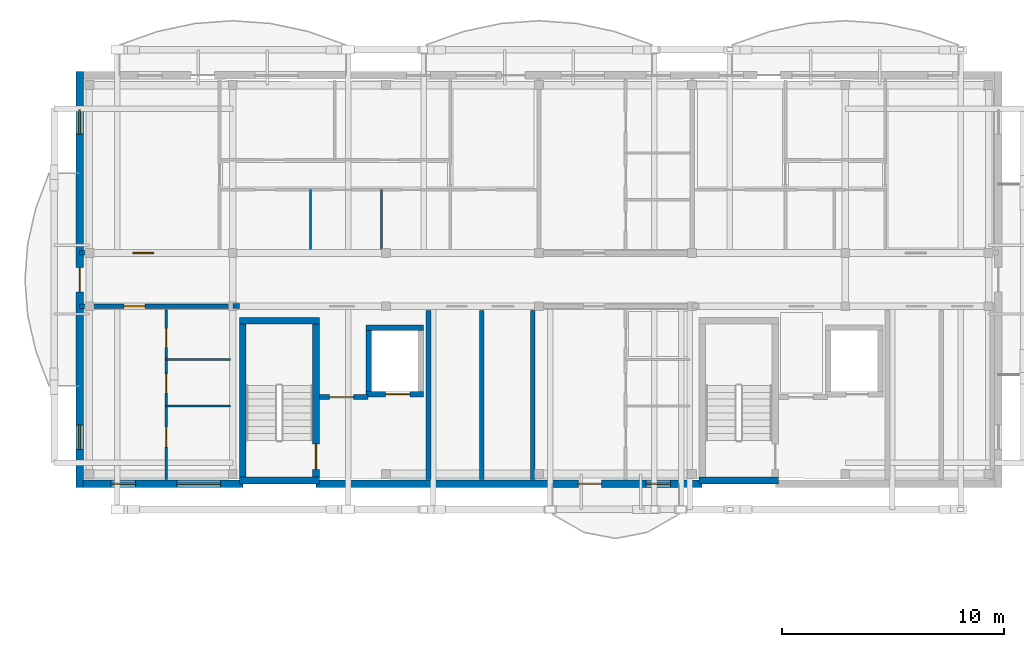
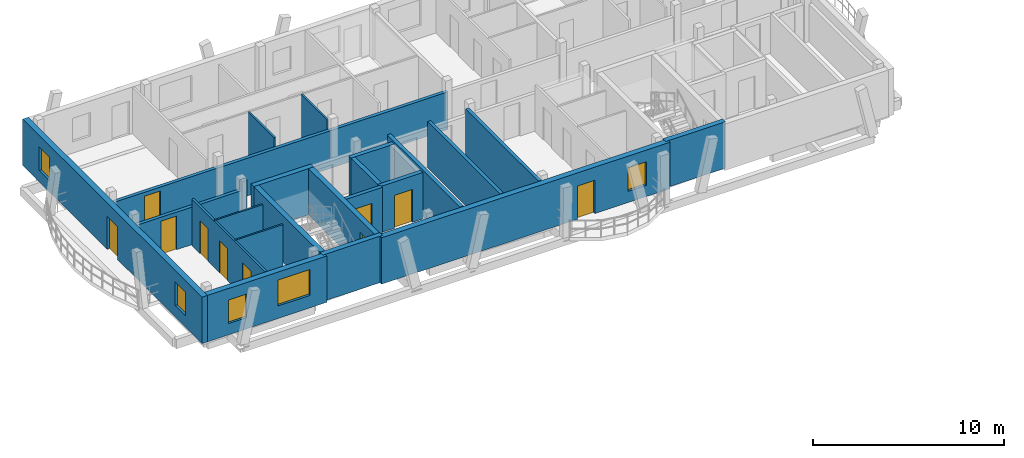
# One storey, part 17 of 33: 23 walls, 10 doors, 5 windows, 15 openings.
"""IFC4 building model written with IfcOpenShell, lengths in metres."""

from ifc_helpers import new_model, si_unit, direction, frame, frame_2d, origin, origin_with_axes, place, context, subcontext, project, spatial, rectangle, extrude, material, layer, layer_set, type_object, element, fill, save


model = new_model("IFC4")

# Units and contexts
model_context = context("Model", 3, precision=1e-05, world=origin(), true_north=direction((0.0, 1.0)))
body_context = subcontext(model_context, "Body", "Model", "MODEL_VIEW")
ifc_project = project(units=[si_unit("LENGTHUNIT", "METRE"), si_unit("AREAUNIT", "SQUARE_METRE"), si_unit("VOLUMEUNIT", "CUBIC_METRE"), si_unit("PLANEANGLEUNIT", "RADIAN"), si_unit("MASSUNIT", "GRAM", prefix="KILO")], contexts=[model_context])

# Site, building, storey
site_placement = place(None, origin())
site = spatial("IfcSite", under=ifc_project, at=site_placement, CompositionType="ELEMENT")
building_placement = place(site_placement, origin())
building = spatial("IfcBuilding", under=site, at=building_placement, Name="Zavelmont Quarter", CompositionType="ELEMENT")
storey_placement = place(building_placement, frame((0.0, 0.0, 30.39990234375)))
storey = spatial("IfcBuildingStorey", under=building, at=storey_placement, Name="L09", CompositionType="ELEMENT", Elevation=30.39990234375)

# Wall, openings, windows
ifc_material_1 = material(Name="Natural Belgian limestone", Category="masonry")
ifc_layer_1 = layer(ifc_material_1, 0.340087890625)
ifc_layer_set_1 = layer_set([ifc_layer_1], Name="Natural Belgian limestone")
wall_type_1 = type_object("IfcWallType", Name="EW03", PredefinedType="STANDARD", material=ifc_layer_set_1)
wall_1_placement = place(storey_placement, frame((0.159912109375, 97.60009765625, 0.0), z_axis=(0.0, 0.0, 1.0), x_axis=(1.0, 0.0, 0.0)))
wall_1 = element("IfcWall", 1, at=wall_1_placement, inside=storey, type_object=wall_type_1, Name="L09 exterior limestone wall EW03", PredefinedType="STANDARD", context=body_context, shape_type="SweptSolid", body=[
    extrude(rectangle(XDim=7.190185546875, YDim=0.340087890625, at=frame_2d((3.59521484375, 0.0))), origin(), (0.0, 0.0, 1.0), 2.960205078125),
])
opening_1_placement = place(wall_1_placement, frame((1.260009765625, 0.0, 0.719970703125)))
opening_1 = element("IfcOpeningElement", 2, at=opening_1_placement, cuts=wall_1, Name="Opening WN09", PredefinedType="OPENING", context=body_context, shape_type="SweptSolid", body=[
    extrude(rectangle(XDim=1.10009765625, YDim=1.5, at=frame_2d((0.550048828125, 0.75))), frame((0.0, 0.18212890625, 0.0), z_axis=(0.0, -1.0, 0.0), x_axis=(1.0, 0.0, 0.0)), (0.0, 0.0, 1.0), 0.364013671875),
])
opening_2_placement = place(wall_1_placement, frame((4.235107421875, 0.0, 0.800048828125)))
opening_2 = element("IfcOpeningElement", 3, at=opening_2_placement, cuts=wall_1, Name="Opening WN24", PredefinedType="OPENING", context=body_context, shape_type="SweptSolid", body=[
    extrude(rectangle(XDim=1.949951171875, YDim=1.64990234375, at=frame_2d((0.97509765625, 0.824951171875))), frame((0.0, 0.18212890625, 0.0), z_axis=(0.0, -1.0, 0.0), x_axis=(1.0, 0.0, 0.0)), (0.0, 0.0, 1.0), 0.364013671875),
])
ifc_material_2 = material(Name="Double low-E insulated glazing in thermally broken aluminium frame", Category="aluminium")
window_type_1 = type_object("IfcWindowType", Name="WN09", PartitioningType="SINGLE_PANEL", PredefinedType="WINDOW", material=ifc_material_2)
window_1_placement = place(opening_1_placement, origin_with_axes())
window_1 = element("IfcWindow", 4, at=window_1_placement, inside=storey, type_object=window_type_1, Name="L09 window WN09", OverallHeight=1.5, OverallWidth=1.10009765625, PartitioningType="SINGLE_PANEL", PredefinedType="WINDOW", context=body_context, shape_type="SweptSolid", body=[
    extrude(rectangle(XDim=1.10009765625, YDim=1.5, at=frame_2d((0.550048828125, 0.75))), frame((0.0, 0.030029296875, 0.0), z_axis=(0.0, -1.0, 0.0), x_axis=(1.0, 0.0, 0.0)), (0.0, 0.0, 1.0), 0.06005859375),
])
fill(opening_1, window_1)
window_type_2 = type_object("IfcWindowType", Name="WN24", PartitioningType="SINGLE_PANEL", PredefinedType="WINDOW", material=ifc_material_2)
window_2_placement = place(opening_2_placement, origin_with_axes())
window_2 = element("IfcWindow", 5, at=window_2_placement, inside=storey, type_object=window_type_2, Name="L09 window WN24", OverallHeight=1.64990234375, OverallWidth=1.949951171875, PartitioningType="SINGLE_PANEL", PredefinedType="WINDOW", context=body_context, shape_type="SweptSolid", body=[
    extrude(rectangle(XDim=1.949951171875, YDim=1.64990234375, at=frame_2d((0.97509765625, 0.824951171875))), frame((0.0, 0.030029296875, 0.0), z_axis=(0.0, -1.0, 0.0), x_axis=(1.0, 0.0, 0.0)), (0.0, 0.0, 1.0), 0.06005859375),
])
fill(opening_2, window_2)

# Wall, openings, door, window
wall_2_placement = place(storey_placement, frame((10.64990234375, 97.60009765625, 0.0), z_axis=(0.0, 0.0, 1.0), x_axis=(1.0, 0.0, 0.0)))
wall_2 = element("IfcWall", 6, at=wall_2_placement, inside=storey, type_object=wall_type_1, Name="L09 exterior limestone wall EW03", PredefinedType="STANDARD", context=body_context, shape_type="SweptSolid", body=[
    extrude(rectangle(XDim=17.400146484375, YDim=0.340087890625, at=frame_2d((8.7001953125, 0.0))), origin(), (0.0, 0.0, 1.0), 2.960205078125),
])
opening_3_placement = place(wall_2_placement, frame((11.820068359375, 0.0, 0.0)))
opening_3 = element("IfcOpeningElement", 7, at=opening_3_placement, cuts=wall_2, Name="Opening DR04A", PredefinedType="OPENING", context=body_context, shape_type="SweptSolid", body=[
    extrude(rectangle(XDim=1.050048828125, YDim=2.1201171875, at=frame_2d((0.52490234375, 1.06005859375))), frame((0.0, 0.18212890625, 0.0), z_axis=(0.0, -1.0, 0.0), x_axis=(1.0, 0.0, 0.0)), (0.0, 0.0, 1.0), 0.364013671875),
])
opening_4_placement = place(wall_2_placement, frame((14.8701171875, 0.0, 0.719970703125)))
opening_4 = element("IfcOpeningElement", 8, at=opening_4_placement, cuts=wall_2, Name="Opening WN09", PredefinedType="OPENING", context=body_context, shape_type="SweptSolid", body=[
    extrude(rectangle(XDim=1.10009765625, YDim=1.5, at=frame_2d((0.550048828125, 0.75))), frame((0.0, 0.18212890625, 0.0), z_axis=(0.0, -1.0, 0.0), x_axis=(1.0, 0.0, 0.0)), (0.0, 0.0, 1.0), 0.364013671875),
])
ifc_material_3 = material(Name="Thermally broken aluminium and double safety glass", Category="aluminium")
door_type_1 = type_object("IfcDoorType", Name="DR04A", OperationType="NOTDEFINED", PredefinedType="DOOR", material=ifc_material_3)
door_1_placement = place(opening_3_placement, origin_with_axes())
door_1 = element("IfcDoor", 9, at=door_1_placement, inside=storey, type_object=door_type_1, Name="Block B L09 glazed balcony door", OperationType="SINGLE_SWING_RIGHT", OverallHeight=2.1201171875, OverallWidth=1.050048828125, PredefinedType="DOOR", context=body_context, shape_type="SweptSolid", body=[
    extrude(rectangle(XDim=1.050048828125, YDim=2.1201171875, at=frame_2d((0.52490234375, 1.06005859375))), frame((0.0, 0.02490234375, 0.0), z_axis=(0.0, -1.0, 0.0), x_axis=(1.0, 0.0, 0.0)), (0.0, 0.0, 1.0), 0.050048828125),
])
fill(opening_3, door_1)
window_3_placement = place(opening_4_placement, origin_with_axes())
window_3 = element("IfcWindow", 10, at=window_3_placement, inside=storey, type_object=window_type_1, Name="L09 window WN09", OverallHeight=1.5, OverallWidth=1.10009765625, PartitioningType="SINGLE_PANEL", PredefinedType="WINDOW", context=body_context, shape_type="SweptSolid", body=[
    extrude(rectangle(XDim=1.10009765625, YDim=1.5, at=frame_2d((0.550048828125, 0.75))), frame((0.0, 0.030029296875, 0.0), z_axis=(0.0, -1.0, 0.0), x_axis=(1.0, 0.0, 0.0)), (0.0, 0.0, 1.0), 0.06005859375),
])
fill(opening_4, window_3)

# Wall, openings, door, windows
wall_3_placement = place(storey_placement, frame((0.0, 97.429931640625, 0.0), z_axis=(0.0, 0.0, 1.0), x_axis=(0.0, 1.0, 0.0)))
wall_3 = element("IfcWall", 11, at=wall_3_placement, inside=storey, type_object=wall_type_1, Name="L09 exterior limestone wall EW03", PredefinedType="STANDARD", context=body_context, shape_type="SweptSolid", body=[
    extrude(rectangle(XDim=18.739990234375, YDim=0.340087890625, at=frame_2d((9.3701171875, 0.0))), origin(), (0.0, 0.0, 1.0), 2.960205078125),
])
opening_5_placement = place(wall_3_placement, frame((8.820068359375, 0.0, 0.0)))
opening_5 = element("IfcOpeningElement", 12, at=opening_5_placement, cuts=wall_3, Name="Opening DR04B", PredefinedType="OPENING", context=body_context, shape_type="SweptSolid", body=[
    extrude(rectangle(XDim=1.10009765625, YDim=2.10009765625, at=frame_2d((0.550048828125, 1.050048828125))), frame((0.0, 0.18212890625, 0.0), z_axis=(0.0, -1.0, 0.0), x_axis=(1.0, 0.0, 0.0)), (0.0, 0.0, 1.0), 0.364013671875),
])
opening_6_placement = place(wall_3_placement, frame((1.719970703125, 0.0, 0.719970703125)))
opening_6 = element("IfcOpeningElement", 13, at=opening_6_placement, cuts=wall_3, Name="Opening WN09", PredefinedType="OPENING", context=body_context, shape_type="SweptSolid", body=[
    extrude(rectangle(XDim=1.10009765625, YDim=1.5, at=frame_2d((0.550048828125, 0.75))), frame((0.0, 0.18212890625, 0.0), z_axis=(0.0, -1.0, 0.0), x_axis=(1.0, 0.0, 0.0)), (0.0, 0.0, 1.0), 0.364013671875),
])
opening_7_placement = place(wall_3_placement, frame((15.919921875, 0.0, 0.719970703125)))
opening_7 = element("IfcOpeningElement", 14, at=opening_7_placement, cuts=wall_3, Name="Opening WN09", PredefinedType="OPENING", context=body_context, shape_type="SweptSolid", body=[
    extrude(rectangle(XDim=1.10009765625, YDim=1.5, at=frame_2d((0.550048828125, 0.75))), frame((0.0, 0.18212890625, 0.0), z_axis=(0.0, -1.0, 0.0), x_axis=(1.0, 0.0, 0.0)), (0.0, 0.0, 1.0), 0.364013671875),
])
door_type_2 = type_object("IfcDoorType", Name="DR04B", OperationType="NOTDEFINED", PredefinedType="DOOR", material=ifc_material_3)
door_2_placement = place(opening_5_placement, frame((1.10009765625, 0.0, 0.0), z_axis=(0.0, 0.0, 1.0), x_axis=(-1.0, 0.0, 0.0)))
door_2 = element("IfcDoor", 15, at=door_2_placement, inside=storey, type_object=door_type_2, Name="Block B L09 terrace or vase balcony door", OperationType="SINGLE_SWING_LEFT", OverallHeight=2.10009765625, OverallWidth=1.10009765625, PredefinedType="DOOR", context=body_context, shape_type="SweptSolid", body=[
    extrude(rectangle(XDim=1.10009765625, YDim=2.10009765625, at=frame_2d((0.550048828125, 1.050048828125))), frame((0.0, 0.02490234375, 0.0), z_axis=(0.0, -1.0, 0.0), x_axis=(1.0, 0.0, 0.0)), (0.0, 0.0, 1.0), 0.050048828125),
])
fill(opening_5, door_2)
window_4_placement = place(opening_6_placement, origin_with_axes())
window_4 = element("IfcWindow", 16, at=window_4_placement, inside=storey, type_object=window_type_1, Name="L09 window WN09", OverallHeight=1.5, OverallWidth=1.10009765625, PartitioningType="SINGLE_PANEL", PredefinedType="WINDOW", context=body_context, shape_type="SweptSolid", body=[
    extrude(rectangle(XDim=1.10009765625, YDim=1.5, at=frame_2d((0.550048828125, 0.75))), frame((0.0, 0.030029296875, 0.0), z_axis=(0.0, -1.0, 0.0), x_axis=(1.0, 0.0, 0.0)), (0.0, 0.0, 1.0), 0.06005859375),
])
fill(opening_6, window_4)
window_5_placement = place(opening_7_placement, origin_with_axes())
window_5 = element("IfcWindow", 17, at=window_5_placement, inside=storey, type_object=window_type_1, Name="L09 window WN09", OverallHeight=1.5, OverallWidth=1.10009765625, PartitioningType="SINGLE_PANEL", PredefinedType="WINDOW", context=body_context, shape_type="SweptSolid", body=[
    extrude(rectangle(XDim=1.10009765625, YDim=1.5, at=frame_2d((0.550048828125, 0.75))), frame((0.0, 0.030029296875, 0.0), z_axis=(0.0, -1.0, 0.0), x_axis=(1.0, 0.0, 0.0)), (0.0, 0.0, 1.0), 0.06005859375),
])
fill(opening_7, window_5)

# Walls
ifc_material_4 = material(Name="Calcium-silicate blockwork and acoustic plaster", Category="masonry")
ifc_layer_2 = layer(ifc_material_4, 0.199951171875)
ifc_layer_set_2 = layer_set([ifc_layer_2], Name="Calcium-silicate blockwork and acoustic plaster")
wall_type_2 = type_object("IfcWallType", Name="IW01", PredefinedType="PARTITIONING", material=ifc_layer_set_2)
for number, where, z_axis, x_axis, name in (
    (18, (18.125, 97.800048828125, 0.0), (0.0, 0.0, 1.0), (0.0, 1.0, 0.0), "L09 Service riser divider wall IW01"),
    (19, (20.419921875, 97.800048828125, 0.0), (0.0, 0.0, 1.0), (0.0, 1.0, 0.0), "L09 Core service end wall IW01"),
):
    element("IfcWall", number, at=place(storey_placement, frame(where, z_axis=z_axis, x_axis=x_axis)), inside=storey, type_object=wall_type_2, Name=name, PredefinedType="PARTITIONING", context=body_context, shape_type="SweptSolid", body=[
        extrude(rectangle(XDim=7.599853515625, YDim=0.199951171875, at=frame_2d((3.7998046875, 0.0))), origin(), (0.0, 0.0, 1.0), 2.960205078125),
    ])

# Wall, opening, door
wall_4_placement = place(storey_placement, frame((0.0, 108.0, 0.0), z_axis=(0.0, 0.0, 1.0), x_axis=(1.0, 0.0, 0.0)))
wall_4 = element("IfcWall", 20, at=wall_4_placement, inside=storey, type_object=wall_type_2, Name="L09 Corridor compartment wall IW01", PredefinedType="PARTITIONING", context=body_context, shape_type="SweptSolid", body=[
    extrude(rectangle(XDim=20.699951171875, YDim=0.199951171875, at=frame_2d((10.35009765625, 0.0))), origin(), (0.0, 0.0, 1.0), 2.400146484375),
])
opening_8_placement = place(wall_4_placement, frame((2.39990234375, 0.0, 0.0)))
opening_8 = element("IfcOpeningElement", 21, at=opening_8_placement, cuts=wall_4, Name="Opening DR02", PredefinedType="OPENING", context=body_context, shape_type="SweptSolid", body=[
    extrude(rectangle(XDim=0.949951171875, YDim=2.14990234375, at=frame_2d((0.47509765625, 1.074951171875))), frame((0.0, 0.11181640625, 0.0), z_axis=(0.0, -1.0, 0.0), x_axis=(1.0, 0.0, 0.0)), (0.0, 0.0, 1.0), 0.223876953125),
])
ifc_material_5 = material(Name="Solid-core oak fire leaf in steel frame", Category="steel")
door_type_3 = type_object("IfcDoorType", Name="DR02", OperationType="NOTDEFINED", PredefinedType="DOOR", material=ifc_material_5)
door_3_placement = place(opening_8_placement, origin_with_axes())
door_3 = element("IfcDoor", 22, at=door_3_placement, inside=storey, type_object=door_type_3, Name="L09 door DR02", OperationType="SINGLE_SWING_RIGHT", OverallHeight=2.14990234375, OverallWidth=0.949951171875, PredefinedType="DOOR", context=body_context, shape_type="SweptSolid", body=[
    extrude(rectangle(XDim=0.949951171875, YDim=2.14990234375, at=frame_2d((0.47509765625, 1.074951171875))), frame((0.0, 0.02490234375, 0.0), z_axis=(0.0, -1.0, 0.0), x_axis=(1.0, 0.0, 0.0)), (0.0, 0.0, 1.0), 0.050048828125),
])
fill(opening_8, door_3)

wall_5_placement = place(storey_placement, frame((0.0, 105.60009765625, 0.0), z_axis=(0.0, 0.0, 1.0), x_axis=(1.0, 0.0, 0.0)))
wall_5 = element("IfcWall", 23, at=wall_5_placement, inside=storey, type_object=wall_type_2, Name="L09 Corridor compartment wall IW01", PredefinedType="PARTITIONING", context=body_context, shape_type="SweptSolid", body=[
    extrude(rectangle(XDim=6.89990234375, YDim=0.199951171875, at=frame_2d((3.449951171875, 0.0))), origin(), (0.0, 0.0, 1.0), 2.400146484375),
])
opening_9_placement = place(wall_5_placement, frame((2.0, 0.0, 0.0)))
opening_9 = element("IfcOpeningElement", 24, at=opening_9_placement, cuts=wall_5, Name="Opening DR02", PredefinedType="OPENING", context=body_context, shape_type="SweptSolid", body=[
    extrude(rectangle(XDim=0.949951171875, YDim=2.14990234375, at=frame_2d((0.47509765625, 1.074951171875))), frame((0.0, 0.11181640625, 0.0), z_axis=(0.0, -1.0, 0.0), x_axis=(1.0, 0.0, 0.0)), (0.0, 0.0, 1.0), 0.223876953125),
])
door_4_placement = place(opening_9_placement, frame((0.949951171875, 0.0, 0.0), z_axis=(0.0, 0.0, 1.0), x_axis=(-1.0, 0.0, 0.0)))
door_4 = element("IfcDoor", 25, at=door_4_placement, inside=storey, type_object=door_type_3, Name="L09 door DR02", OperationType="SINGLE_SWING_RIGHT", OverallHeight=2.14990234375, OverallWidth=0.949951171875, PredefinedType="DOOR", context=body_context, shape_type="SweptSolid", body=[
    extrude(rectangle(XDim=0.949951171875, YDim=2.14990234375, at=frame_2d((0.47509765625, 1.074951171875))), frame((0.0, 0.02490234375, 0.0), z_axis=(0.0, -1.0, 0.0), x_axis=(1.0, 0.0, 0.0)), (0.0, 0.0, 1.0), 0.050048828125),
])
fill(opening_9, door_4)

# Wall
ifc_material_6 = material(Name="Reinforced masonry fire compartment wall", Category="masonry")
ifc_layer_3 = layer(ifc_material_6, 0.22509765625)
ifc_layer_set_3 = layer_set([ifc_layer_3], Name="Reinforced masonry fire compartment wall")
wall_type_3 = type_object("IfcWallType", Name="IW02", PredefinedType="PARTITIONING", material=ifc_layer_set_3)
wall_6_placement = place(storey_placement, frame((15.7099609375, 97.800048828125, 0.0), z_axis=(0.0, 0.0, 1.0), x_axis=(0.0, 1.0, 0.0)))
element("IfcWall", 26, at=wall_6_placement, inside=storey, type_object=wall_type_3, Name="L09 Firefighting lobby enclosure wall IW02", PredefinedType="PARTITIONING", context=body_context, shape_type="SweptSolid", body=[
    extrude(rectangle(XDim=7.599853515625, YDim=0.22509765625, at=frame_2d((3.7998046875, 0.0))), origin(), (0.0, 0.0, 1.0), 2.960205078125),
])

# Wall, opening, door
wall_7_placement = place(storey_placement, frame((10.800048828125, 101.5, 0.0), z_axis=(0.0, 0.0, 1.0), x_axis=(1.0, 0.0, 0.0)))
wall_7 = element("IfcWall", 27, at=wall_7_placement, inside=storey, type_object=wall_type_3, Name="L09 Firefighting lobby threshold wall IW02", PredefinedType="PARTITIONING", context=body_context, shape_type="SweptSolid", body=[
    extrude(rectangle(XDim=2.199951171875, YDim=0.22509765625, at=frame_2d((1.10009765625, 0.0))), origin(), (0.0, 0.0, 1.0), 2.960205078125),
])
opening_10_placement = place(wall_7_placement, frame((0.449951171875, 0.0, 0.0)))
opening_10 = element("IfcOpeningElement", 28, at=opening_10_placement, cuts=wall_7, Name="Opening DR10", PredefinedType="OPENING", context=body_context, shape_type="SweptSolid", body=[
    extrude(rectangle(XDim=1.10009765625, YDim=2.14990234375, at=frame_2d((0.550048828125, 1.074951171875))), frame((0.0, 0.12451171875, 0.0), z_axis=(0.0, -1.0, 0.0), x_axis=(1.0, 0.0, 0.0)), (0.0, 0.0, 1.0), 0.2490234375),
])
ifc_material_7 = material(Name="Painted steel lobby fire door", Category="steel")
door_type_4 = type_object("IfcDoorType", Name="DR10", OperationType="NOTDEFINED", PredefinedType="DOOR", material=ifc_material_7)
door_5_placement = place(opening_10_placement, frame((1.10009765625, 0.0, 0.0), z_axis=(0.0, 0.0, 1.0), x_axis=(-1.0, 0.0, 0.0)))
door_5 = element("IfcDoor", 29, at=door_5_placement, inside=storey, type_object=door_type_4, Name="Firefighting lobby fire door", OperationType="SINGLE_SWING_LEFT", OverallHeight=2.14990234375, OverallWidth=1.10009765625, PredefinedType="DOOR", context=body_context, shape_type="SweptSolid", body=[
    extrude(rectangle(XDim=1.10009765625, YDim=2.14990234375, at=frame_2d((0.550048828125, 1.074951171875))), frame((0.0, 0.02490234375, 0.0), z_axis=(0.0, -1.0, 0.0), x_axis=(1.0, 0.0, 0.0)), (0.0, 0.0, 1.0), 0.050048828125),
])
fill(opening_10, door_5)

# Wall
wall_8_placement = place(storey_placement, frame((6.89990234375, 105.60009765625, 0.0), z_axis=(0.0, 0.0, 1.0), x_axis=(1.0, 0.0, 0.0)))
element("IfcWall", 30, at=wall_8_placement, inside=storey, type_object=wall_type_3, Name="L09 Core corridor wall IW02", PredefinedType="PARTITIONING", context=body_context, shape_type="SweptSolid", body=[
    extrude(rectangle(XDim=0.300048828125, YDim=0.22509765625, at=frame_2d((0.14990234375, 0.0))), origin(), (0.0, 0.0, 1.0), 2.960205078125),
])

# Wall, openings, doors
ifc_material_8 = material(Name="Double gypsum board on acoustic steel stud", Category="steel")
ifc_layer_4 = layer(ifc_material_8, 0.125)
ifc_layer_set_4 = layer_set([ifc_layer_4], Name="Double gypsum board on acoustic steel stud")
wall_type_4 = type_object("IfcWallType", Name="IW03", PredefinedType="PARTITIONING", material=ifc_layer_set_4)
wall_9_placement = place(storey_placement, frame((3.89990234375, 105.449951171875, 0.0), z_axis=(0.0, 0.0, 1.0), x_axis=(0.0, -1.0, 0.0)))
wall_9 = element("IfcWall", 31, at=wall_9_placement, inside=storey, type_object=wall_type_4, Name="L09 Partition IW03", PredefinedType="PARTITIONING", context=body_context, shape_type="SweptSolid", body=[
    extrude(rectangle(XDim=7.64990234375, YDim=0.125, at=frame_2d((3.824951171875, 0.0))), origin(), (0.0, 0.0, 1.0), 2.960205078125),
])
opening_11_placement = place(wall_9_placement, frame((0.85009765625, 0.0, 0.0)))
opening_11 = element("IfcOpeningElement", 32, at=opening_11_placement, cuts=wall_9, Name="Opening DR16", PredefinedType="OPENING", context=body_context, shape_type="SweptSolid", body=[
    extrude(rectangle(XDim=0.85009765625, YDim=2.10009765625, at=frame_2d((0.425048828125, 1.050048828125))), frame((0.0, 0.074462890625, 0.0), z_axis=(0.0, -1.0, 0.0), x_axis=(1.0, 0.0, 0.0)), (0.0, 0.0, 1.0), 0.14892578125),
])
opening_12_placement = place(wall_9_placement, frame((2.89990234375, 0.0, 0.0)))
opening_12 = element("IfcOpeningElement", 33, at=opening_12_placement, cuts=wall_9, Name="Opening DR06", PredefinedType="OPENING", context=body_context, shape_type="SweptSolid", body=[
    extrude(rectangle(XDim=0.85009765625, YDim=2.050048828125, at=frame_2d((0.425048828125, 1.02490234375))), frame((0.0, 0.074462890625, 0.0), z_axis=(0.0, -1.0, 0.0), x_axis=(1.0, 0.0, 0.0)), (0.0, 0.0, 1.0), 0.14892578125),
])
opening_13_placement = place(wall_9_placement, frame((5.300048828125, 0.0, 0.0)))
opening_13 = element("IfcOpeningElement", 34, at=opening_13_placement, cuts=wall_9, Name="Opening DR05", PredefinedType="OPENING", context=body_context, shape_type="SweptSolid", body=[
    extrude(rectangle(XDim=0.89990234375, YDim=2.10009765625, at=frame_2d((0.449951171875, 1.050048828125))), frame((0.0, 0.074462890625, 0.0), z_axis=(0.0, -1.0, 0.0), x_axis=(1.0, 0.0, 0.0)), (0.0, 0.0, 1.0), 0.14892578125),
])
ifc_material_9 = material(Name="Engineered oak flush interior door")
door_type_5 = type_object("IfcDoorType", Name="DR05", OperationType="NOTDEFINED", PredefinedType="DOOR", material=ifc_material_9)
door_6_placement = place(opening_13_placement, origin_with_axes())
door_6 = element("IfcDoor", 35, at=door_6_placement, inside=storey, type_object=door_type_5, Name="L09 door DR05", OperationType="SINGLE_SWING_RIGHT", OverallHeight=2.10009765625, OverallWidth=0.89990234375, PredefinedType="DOOR", context=body_context, shape_type="SweptSolid", body=[
    extrude(rectangle(XDim=0.89990234375, YDim=2.10009765625, at=frame_2d((0.449951171875, 1.050048828125))), frame((0.0, 0.02490234375, 0.0), z_axis=(0.0, -1.0, 0.0), x_axis=(1.0, 0.0, 0.0)), (0.0, 0.0, 1.0), 0.050048828125),
])
fill(opening_13, door_6)
ifc_material_10 = material(Name="Moisture-resistant painted wet-room door")
door_type_6 = type_object("IfcDoorType", Name="DR06", OperationType="NOTDEFINED", PredefinedType="DOOR", material=ifc_material_10)
door_7_placement = place(opening_12_placement, frame((0.85009765625, 0.0, 0.0), z_axis=(0.0, 0.0, 1.0), x_axis=(-1.0, 0.0, 0.0)))
door_7 = element("IfcDoor", 36, at=door_7_placement, inside=storey, type_object=door_type_6, Name="L09 door DR06", OperationType="SINGLE_SWING_LEFT", OverallHeight=2.050048828125, OverallWidth=0.85009765625, PredefinedType="DOOR", context=body_context, shape_type="SweptSolid", body=[
    extrude(rectangle(XDim=0.85009765625, YDim=2.050048828125, at=frame_2d((0.425048828125, 1.02490234375))), frame((0.0, 0.02490234375, 0.0), z_axis=(0.0, -1.0, 0.0), x_axis=(1.0, 0.0, 0.0)), (0.0, 0.0, 1.0), 0.050048828125),
])
fill(opening_12, door_7)
door_type_7 = type_object("IfcDoorType", Name="DR16", OperationType="NOTDEFINED", PredefinedType="DOOR", material=ifc_material_9)
door_8_placement = place(opening_11_placement, origin_with_axes())
door_8 = element("IfcDoor", 37, at=door_8_placement, inside=storey, type_object=door_type_7, Name="L09 door DR16", OperationType="SINGLE_SWING_RIGHT", OverallHeight=2.10009765625, OverallWidth=0.85009765625, PredefinedType="DOOR", context=body_context, shape_type="SweptSolid", body=[
    extrude(rectangle(XDim=0.85009765625, YDim=2.10009765625, at=frame_2d((0.425048828125, 1.050048828125))), frame((0.0, 0.02490234375, 0.0), z_axis=(0.0, -1.0, 0.0), x_axis=(1.0, 0.0, 0.0)), (0.0, 0.0, 1.0), 0.050048828125),
])
fill(opening_11, door_8)

# Walls
ifc_material_11 = material(Name="Moisture-resistant gypsum board on steel stud", Category="steel")
ifc_layer_5 = layer(ifc_material_11, 0.10009765625)
ifc_layer_set_5 = layer_set([ifc_layer_5], Name="Moisture-resistant gypsum board on steel stud")
wall_type_5 = type_object("IfcWallType", Name="IW04", PredefinedType="PARTITIONING", material=ifc_layer_set_5)
for number, where, z_axis, x_axis, name in (
    (38, (10.39990234375, 108.14990234375, 0.0), (0.0, 0.0, 1.0), (0.0, 1.0, 0.0), "L09 Partition IW04"),
    (39, (13.60009765625, 108.14990234375, 0.0), (0.0, 0.0, 1.0), (0.0, 1.0, 0.0), "L09 Partition IW04"),
):
    element("IfcWall", number, at=place(storey_placement, frame(where, z_axis=z_axis, x_axis=x_axis)), inside=storey, type_object=wall_type_5, Name=name, PredefinedType="PARTITIONING", context=body_context, shape_type="SweptSolid", body=[
        extrude(rectangle(XDim=2.7001953125, YDim=0.10009765625, at=frame_2d((1.35009765625, 0.0))), origin(), (0.0, 0.0, 1.0), 2.960205078125),
    ])
for number, where, z_axis, x_axis, name in (
    (40, (3.89990234375, 103.199951171875, 0.0), (0.0, 0.0, 1.0), (1.0, 0.0, 0.0), "L09 Partition IW04"),
    (41, (3.89990234375, 101.10009765625, 0.0), (0.0, 0.0, 1.0), (1.0, 0.0, 0.0), "L09 Partition IW04"),
):
    element("IfcWall", number, at=place(storey_placement, frame(where, z_axis=z_axis, x_axis=x_axis)), inside=storey, type_object=wall_type_5, Name=name, PredefinedType="PARTITIONING", context=body_context, shape_type="SweptSolid", body=[
        extrude(rectangle(XDim=2.900146484375, YDim=0.10009765625, at=frame_2d((1.4501953125, 0.0))), origin(), (0.0, 0.0, 1.0), 2.960205078125),
    ])
ifc_material_12 = material(Name="Concrete C40/50", Category="concrete")
ifc_layer_6 = layer(ifc_material_12, 0.300048828125)
ifc_layer_set_6 = layer_set([ifc_layer_6], Name="Concrete C40/50")
wall_type_6 = type_object("IfcWallType", Name="SW01", PredefinedType="SHEAR", material=ifc_layer_set_6)
wall_10_placement = place(storey_placement, frame((7.199951171875, 104.949951171875, 0.0), z_axis=(0.0, 0.0, 1.0), x_axis=(1.0, 0.0, 0.0)))
element("IfcWall", 42, at=wall_10_placement, inside=storey, type_object=wall_type_6, Name="L09 ST03 corridor shear wall SW01", PredefinedType="SHEAR", context=body_context, shape_type="SweptSolid", body=[
    extrude(rectangle(XDim=3.60009765625, YDim=0.300048828125, at=frame_2d((1.800048828125, 0.0))), origin(), (0.0, 0.0, 1.0), 2.960205078125),
])
wall_11_placement = place(storey_placement, frame((7.35009765625, 97.60009765625, 0.0), z_axis=(0.0, 0.0, 1.0), x_axis=(0.0, 1.0, 0.0)))
element("IfcWall", 43, at=wall_11_placement, inside=storey, type_object=wall_type_6, Name="L09 ST03 west shear wall SW01", PredefinedType="SHEAR", context=body_context, shape_type="SweptSolid", body=[
    extrude(rectangle(XDim=7.5, YDim=0.300048828125, at=frame_2d((3.75, 0.0))), origin(), (0.0, 0.0, 1.0), 2.960205078125),
])

# Wall, opening, door
wall_12_placement = place(storey_placement, frame((10.64990234375, 97.60009765625, 0.0), z_axis=(0.0, 0.0, 1.0), x_axis=(0.0, 1.0, 0.0)))
wall_12 = element("IfcWall", 44, at=wall_12_placement, inside=storey, type_object=wall_type_6, Name="L09 ST03 lobby shear wall SW01", PredefinedType="SHEAR", context=body_context, shape_type="SweptSolid", body=[
    extrude(rectangle(XDim=7.5, YDim=0.300048828125, at=frame_2d((3.75, 0.0))), origin(), (0.0, 0.0, 1.0), 2.960205078125),
])
opening_14_placement = place(wall_12_placement, frame((0.64990234375, 0.0, 0.0)))
opening_14 = element("IfcOpeningElement", 45, at=opening_14_placement, cuts=wall_12, Name="Opening DR09", PredefinedType="OPENING", context=body_context, shape_type="SweptSolid", body=[
    extrude(rectangle(XDim=1.14990234375, YDim=2.14990234375, at=frame_2d((0.574951171875, 1.074951171875))), frame((0.0, 0.162109375, 0.0), z_axis=(0.0, -1.0, 0.0), x_axis=(1.0, 0.0, 0.0)), (0.0, 0.0, 1.0), 0.323974609375),
])
ifc_material_13 = material(Name="Painted steel stair-core fire door", Category="steel")
door_type_8 = type_object("IfcDoorType", Name="DR09", OperationType="NOTDEFINED", PredefinedType="DOOR", material=ifc_material_13)
door_9_placement = place(opening_14_placement, origin_with_axes())
door_9 = element("IfcDoor", 46, at=door_9_placement, inside=storey, type_object=door_type_8, Name="ST03 protected stair door", OperationType="SINGLE_SWING_RIGHT", OverallHeight=2.14990234375, OverallWidth=1.14990234375, PredefinedType="DOOR", context=body_context, shape_type="SweptSolid", body=[
    extrude(rectangle(XDim=1.14990234375, YDim=2.14990234375, at=frame_2d((0.574951171875, 1.074951171875))), frame((0.0, 0.02490234375, 0.0), z_axis=(0.0, -1.0, 0.0), x_axis=(1.0, 0.0, 0.0)), (0.0, 0.0, 1.0), 0.050048828125),
])
fill(opening_14, door_9)

ifc_layer_7 = layer(ifc_material_12, 0.25)
ifc_layer_set_7 = layer_set([ifc_layer_7], Name="Concrete C40/50")
wall_type_7 = type_object("IfcWallType", Name="SW02", PredefinedType="SHEAR", material=ifc_layer_set_7)
wall_13_placement = place(storey_placement, frame((12.89990234375, 101.625, 0.0), z_axis=(0.0, 0.0, 1.0), x_axis=(1.0, 0.0, 0.0)))
wall_13 = element("IfcWall", 47, at=wall_13_placement, inside=storey, type_object=wall_type_7, Name="L09 Lift FL02 landing shaft wall SW02", PredefinedType="SHEAR", context=body_context, shape_type="SweptSolid", body=[
    extrude(rectangle(XDim=2.60009765625, YDim=0.25, at=frame_2d((1.300048828125, 0.0))), origin(), (0.0, 0.0, 1.0), 2.960205078125),
])
opening_15_placement = place(wall_13_placement, frame((0.875, 0.0, 0.0)))
opening_15 = element("IfcOpeningElement", 48, at=opening_15_placement, cuts=wall_13, Name="Opening LD02", PredefinedType="OPENING", context=body_context, shape_type="SweptSolid", body=[
    extrude(rectangle(XDim=1.10009765625, YDim=2.10009765625, at=frame_2d((0.550048828125, 1.050048828125))), frame((0.0, 0.136962890625, 0.0), z_axis=(0.0, -1.0, 0.0), x_axis=(1.0, 0.0, 0.0)), (0.0, 0.0, 1.0), 0.27392578125),
])
ifc_material_14 = material(Name="Brushed stainless-steel firefighting lift landing door", Category="steel")
door_type_9 = type_object("IfcDoorType", Name="LD02", OperationType="SLIDING_TO_LEFT", PredefinedType="DOOR", material=ifc_material_14)
door_10_placement = place(opening_15_placement, origin_with_axes())
door_10 = element("IfcDoor", 49, at=door_10_placement, inside=storey, type_object=door_type_9, Name="Lift FL02 sliding landing door", OperationType="SLIDING_TO_LEFT", OverallHeight=2.10009765625, OverallWidth=1.10009765625, PredefinedType="DOOR", context=body_context, shape_type="SweptSolid", body=[
    extrude(rectangle(XDim=1.10009765625, YDim=2.10009765625, at=frame_2d((0.550048828125, 1.050048828125))), frame((0.0, 0.02490234375, 0.0), z_axis=(0.0, -1.0, 0.0), x_axis=(1.0, 0.0, 0.0)), (0.0, 0.0, 1.0), 0.050048828125),
])
fill(opening_15, door_10)

# Walls
wall_14_placement = place(storey_placement, frame((12.89990234375, 104.625, 0.0), z_axis=(0.0, 0.0, 1.0), x_axis=(1.0, 0.0, 0.0)))
element("IfcWall", 50, at=wall_14_placement, inside=storey, type_object=wall_type_7, Name="L09 Lift FL02 back shaft wall SW02", PredefinedType="SHEAR", context=body_context, shape_type="SweptSolid", body=[
    extrude(rectangle(XDim=2.60009765625, YDim=0.25, at=frame_2d((1.300048828125, 0.0))), origin(), (0.0, 0.0, 1.0), 2.960205078125),
])
wall_15_placement = place(storey_placement, frame((13.02490234375, 101.5, 0.0), z_axis=(0.0, 0.0, 1.0), x_axis=(0.0, 1.0, 0.0)))
element("IfcWall", 51, at=wall_15_placement, inside=storey, type_object=wall_type_7, Name="L09 Lift FL02 west shaft wall SW02", PredefinedType="SHEAR", context=body_context, shape_type="SweptSolid", body=[
    extrude(rectangle(XDim=3.25, YDim=0.25, at=frame_2d((1.625, 0.0))), origin(), (0.0, 0.0, 1.0), 2.960205078125),
])
ifc_layer_8 = layer(ifc_material_12, 0.300048828125)
ifc_layer_set_8 = layer_set([ifc_layer_8], Name="Concrete C40/50")
wall_type_8 = type_object("IfcWallType", Name="SW03", PredefinedType="SHEAR", material=ifc_layer_set_8)
for number, where, z_axis, x_axis, name in (
    (52, (7.199951171875, 97.75, 0.0), (0.0, 0.0, 1.0), (1.0, 0.0, 0.0), "L09 ST03 outer shear wall SW03"),
    (53, (27.89990234375, 97.75, 0.0), (0.0, 0.0, 1.0), (1.0, 0.0, 0.0), "L09 ST04 outer shear wall SW03"),
):
    element("IfcWall", number, at=place(storey_placement, frame(where, z_axis=z_axis, x_axis=x_axis)), inside=storey, type_object=wall_type_8, Name=name, PredefinedType="SHEAR", context=body_context, shape_type="SweptSolid", body=[
        extrude(rectangle(XDim=3.60009765625, YDim=0.300048828125, at=frame_2d((1.800048828125, 0.0))), origin(), (0.0, 0.0, 1.0), 2.960205078125),
    ])

save(model, "model.ifc")
